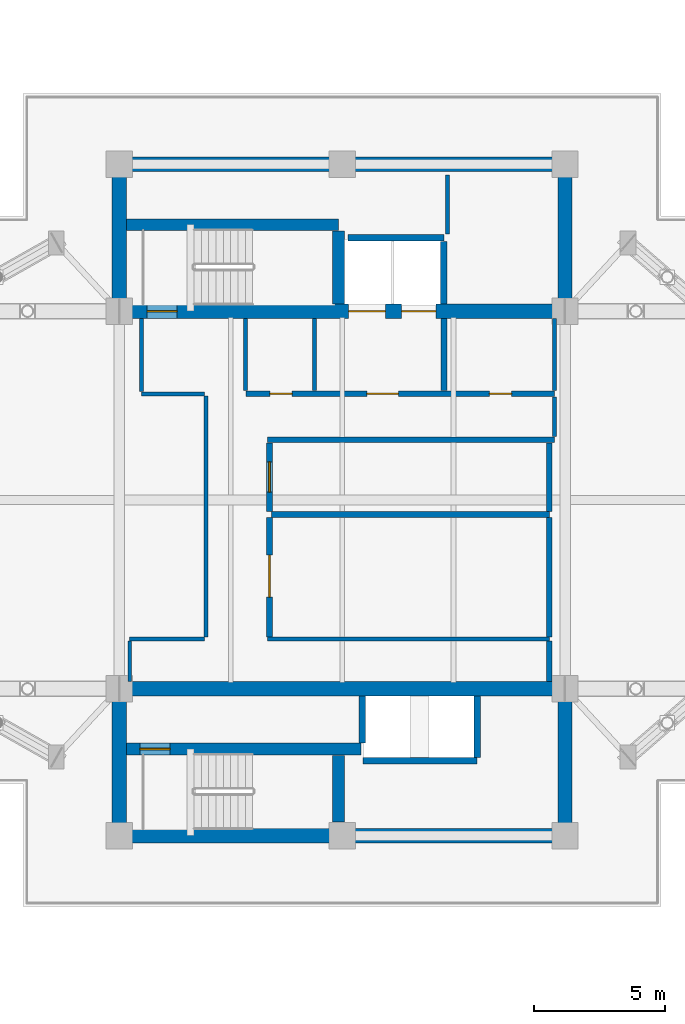
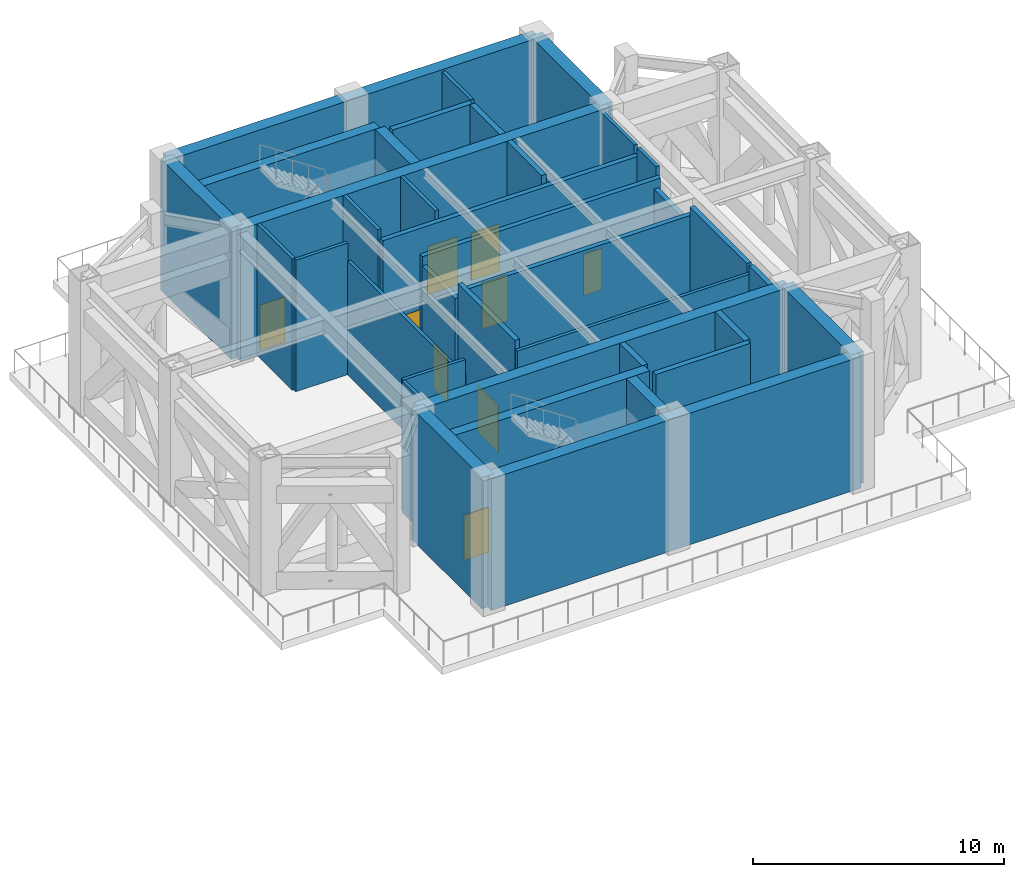
# One storey, part 11 of 18: 37 walls, 9 doors, 9 openings.
"""IFC4 building model written with IfcOpenShell, lengths in metres."""

from ifc_helpers import new_model, si_unit, direction, frame, frame_2d, origin, place, context, subcontext, project, spatial, rectangle, extrude, material, layer, layer_set, type_object, element, fill, save


model = new_model("IFC4")

# Units and contexts
model_context = context("Model", 3, precision=1e-05, world=origin(), true_north=direction((0.0, 1.0)))
body_context = subcontext(model_context, "Body", "Model", "MODEL_VIEW")
ifc_project = project(units=[si_unit("LENGTHUNIT", "METRE"), si_unit("AREAUNIT", "SQUARE_METRE"), si_unit("VOLUMEUNIT", "CUBIC_METRE"), si_unit("PLANEANGLEUNIT", "RADIAN"), si_unit("MASSUNIT", "GRAM", prefix="KILO")], contexts=[model_context])

# Site, building, storey
site_placement = place(None, origin())
site = spatial("IfcSite", under=ifc_project, at=site_placement, CompositionType="ELEMENT")
building_placement = place(site_placement, origin())
building = spatial("IfcBuilding", under=site, at=building_placement, Name="Mirazonda Arch Towers", CompositionType="ELEMENT")
storey_placement = place(building_placement, frame((0.0, 0.0, 147.800048828125)))
storey = spatial("IfcBuildingStorey", under=building, at=storey_placement, Name="L42", CompositionType="ELEMENT", Elevation=147.800048828125)

# Wall, opening, door
ifc_material_1 = material(Name="Concrete C50/60", Category="concrete")
ifc_layer_1 = layer(ifc_material_1, 0.449951171875, Name="WALL-CORE-450")
ifc_layer_set_1 = layer_set([ifc_layer_1], Name="Concrete C50/60")
wall_type_1 = type_object("IfcWallType", Name="WALL-CORE-450", PredefinedType="SHEAR", material=ifc_layer_set_1)
wall_1_placement = place(storey_placement, frame((68.27001953125, 18.5, 0.0), z_axis=(0.0, 0.0, 1.0), x_axis=(1.0, 0.0, 0.0)))
wall_1 = element("IfcWall", 1, at=wall_1_placement, inside=storey, type_object=wall_type_1, Name="L42 Stair Core Shear Wall 006", PredefinedType="SHEAR", context=body_context, shape_type="SweptSolid", body=[
    extrude(rectangle(XDim=8.949951171875, YDim=0.449951171875, at=frame_2d((4.47509765625, 0.0))), origin(), (0.0, 0.0, 1.0), 6.39990234375),
])
opening_1_placement = place(wall_1_placement, frame((0.52001953125, 0.0, 0.0)))
opening_1 = element("IfcOpeningElement", 2, at=opening_1_placement, cuts=wall_1, Name="Opening DR-135", PredefinedType="OPENING", context=body_context, shape_type="SweptSolid", body=[
    extrude(rectangle(XDim=1.14990234375, YDim=2.199951171875, at=frame_2d((0.574951171875, 1.10009765625))), frame((0.0, 0.23486328125, 0.0), z_axis=(0.0, -1.0, 0.0), x_axis=(1.0, 0.0, 0.0)), (0.0, 0.0, 1.0), 0.469970703125),
])
ifc_material_2 = material(Name="Architectural Brushed Steel S355", Category="steel")
door_type_1 = type_object("IfcDoorType", Name="DOOR-STAIR-FD90-1150", OperationType="NOTDEFINED", PredefinedType="DOOR", material=ifc_material_2)
door_1_placement = place(opening_1_placement, origin())
door_1 = element("IfcDoor", 3, at=door_1_placement, inside=storey, type_object=door_type_1, Name="L42 East Protected Stair South Door", OperationType="SINGLE_SWING_LEFT", OverallHeight=2.199951171875, OverallWidth=1.14990234375, PredefinedType="DOOR", context=body_context, shape_type="SweptSolid", body=[
    extrude(rectangle(XDim=1.14990234375, YDim=2.199951171875, at=frame_2d((0.574951171875, 1.10009765625))), frame((0.0, 0.02490234375, 0.0), z_axis=(0.0, -1.0, 0.0), x_axis=(1.0, 0.0, 0.0)), (0.0, 0.0, 1.0), 0.050048828125),
])
fill(opening_1, door_1)

# Walls
wall_2_placement = place(storey_placement, frame((68.27001953125, 38.5, 0.0), z_axis=(0.0, 0.0, 1.0), x_axis=(1.0, 0.0, 0.0)))
element("IfcWall", 4, at=wall_2_placement, inside=storey, type_object=wall_type_1, Name="L42 Stair Core Shear Wall 020", PredefinedType="SHEAR", context=body_context, shape_type="SweptSolid", body=[
    extrude(rectangle(XDim=8.090087890625, YDim=0.449951171875, at=frame_2d((4.044921875, 0.0))), origin(), (0.0, 0.0, 1.0), 6.39990234375),
])
wall_3_placement = place(storey_placement, frame((76.360107421875, 15.715087890625, 0.0), z_axis=(0.0, 0.0, 1.0), x_axis=(0.0, 1.0, 0.0)))
element("IfcWall", 5, at=wall_3_placement, inside=storey, type_object=wall_type_1, Name="L42 Stair Core Shear Wall 051", PredefinedType="SHEAR", context=body_context, shape_type="SweptSolid", body=[
    extrude(rectangle(XDim=2.5498046875, YDim=0.449951171875, at=frame_2d((1.27490234375, 0.0))), origin(), (0.0, 0.0, 1.0), 6.39990234375),
])
wall_4_placement = place(storey_placement, frame((76.360107421875, 35.469970703125, 0.0), z_axis=(0.0, 0.0, 1.0), x_axis=(0.0, 1.0, 0.0)))
element("IfcWall", 6, at=wall_4_placement, inside=storey, type_object=wall_type_1, Name="L42 Stair Core Shear Wall 052", PredefinedType="SHEAR", context=body_context, shape_type="SweptSolid", body=[
    extrude(rectangle(XDim=2.794921875, YDim=0.449951171875, at=frame_2d((1.3974609375, 0.0))), origin(), (0.0, 0.0, 1.0), 6.39990234375),
])
ifc_layer_2 = layer(ifc_material_1, 0.550048828125, Name="WALL-CORE-550")
ifc_layer_set_2 = layer_set([ifc_layer_2], Name="Concrete C50/60")
wall_type_2 = type_object("IfcWallType", Name="WALL-CORE-550", PredefinedType="SHEAR", material=ifc_layer_set_2)
wall_5_placement = place(storey_placement, frame((68.0, 40.800048828125, 0.0), z_axis=(0.0, 0.0, 1.0), x_axis=(1.0, 0.0, 0.0)))
element("IfcWall", 7, at=wall_5_placement, inside=storey, type_object=wall_type_2, Name="L42 T2N-N Core Shear Wall", PredefinedType="SHEAR", context=body_context, shape_type="SweptSolid", body=[
    extrude(rectangle(XDim=17.0, YDim=0.550048828125, at=frame_2d((8.5, 0.0))), origin(), (0.0, 0.0, 1.0), 6.39990234375),
])
for number, where, z_axis, x_axis, name in (
    (8, (68.0, 35.199951171875, 0.0), (0.0, 0.0, 1.0), (0.0, 1.0, 0.0), "L42 T2N-W Core Shear Wall"),
    (9, (85.0, 35.199951171875, 0.0), (0.0, 0.0, 1.0), (0.0, 1.0, 0.0), "L42 T2N-E Core Shear Wall"),
):
    element("IfcWall", number, at=place(storey_placement, frame(where, z_axis=z_axis, x_axis=x_axis)), inside=storey, type_object=wall_type_2, Name=name, PredefinedType="SHEAR", context=body_context, shape_type="SweptSolid", body=[
        extrude(rectangle(XDim=5.60009765625, YDim=0.550048828125, at=frame_2d((2.800048828125, 0.0))), origin(), (0.0, 0.0, 1.0), 6.39990234375),
    ])

# Wall, openings, doors
wall_6_placement = place(storey_placement, frame((68.0, 35.199951171875, 0.0), z_axis=(0.0, 0.0, 1.0), x_axis=(1.0, 0.0, 0.0)))
wall_6 = element("IfcWall", 10, at=wall_6_placement, inside=storey, type_object=wall_type_2, Name="L42 T2N-S Core Shear Wall", PredefinedType="SHEAR", context=body_context, shape_type="SweptSolid", body=[
    extrude(rectangle(XDim=17.0, YDim=0.550048828125, at=frame_2d((8.5, 0.0))), origin(), (0.0, 0.0, 1.0), 6.39990234375),
])
opening_2_placement = place(wall_6_placement, frame((1.06005859375, 0.0, 0.0)))
opening_2 = element("IfcOpeningElement", 11, at=opening_2_placement, cuts=wall_6, Name="Opening DR-135", PredefinedType="OPENING", context=body_context, shape_type="SweptSolid", body=[
    extrude(rectangle(XDim=1.14990234375, YDim=2.199951171875, at=frame_2d((0.574951171875, 1.10009765625))), frame((0.0, 0.284912109375, 0.0), z_axis=(0.0, -1.0, 0.0), x_axis=(1.0, 0.0, 0.0)), (0.0, 0.0, 1.0), 0.570068359375),
])
opening_3_placement = place(wall_6_placement, frame((8.75, 0.0, 0.0)))
opening_3 = element("IfcOpeningElement", 12, at=opening_3_placement, cuts=wall_6, Name="Opening LD-112", PredefinedType="OPENING", context=body_context, shape_type="SweptSolid", body=[
    extrude(rectangle(XDim=1.39990234375, YDim=2.35009765625, at=frame_2d((0.699951171875, 1.175048828125))), frame((0.0, 0.284912109375, 0.0), z_axis=(0.0, -1.0, 0.0), x_axis=(1.0, 0.0, 0.0)), (0.0, 0.0, 1.0), 0.570068359375),
])
opening_4_placement = place(wall_6_placement, frame((10.77001953125, 0.0, 0.0)))
opening_4 = element("IfcOpeningElement", 13, at=opening_4_placement, cuts=wall_6, Name="Opening LD-111", PredefinedType="OPENING", context=body_context, shape_type="SweptSolid", body=[
    extrude(rectangle(XDim=1.300048828125, YDim=2.300048828125, at=frame_2d((0.64990234375, 1.14990234375))), frame((0.0, 0.284912109375, 0.0), z_axis=(0.0, -1.0, 0.0), x_axis=(1.0, 0.0, 0.0)), (0.0, 0.0, 1.0), 0.570068359375),
])
door_type_2 = type_object("IfcDoorType", Name="DOOR-LIFT-FFL-1400", OperationType="NOTDEFINED", PredefinedType="DOOR", material=ifc_material_2)
door_2_placement = place(opening_3_placement, origin())
door_2 = element("IfcDoor", 14, at=door_2_placement, inside=storey, type_object=door_type_2, Name="L42 Lift Landing Sliding Door FFL-T2", OperationType="DOUBLE_DOOR_SLIDING", OverallHeight=2.35009765625, OverallWidth=1.39990234375, PredefinedType="DOOR", context=body_context, shape_type="SweptSolid", body=[
    extrude(rectangle(XDim=1.39990234375, YDim=2.35009765625, at=frame_2d((0.699951171875, 1.175048828125))), frame((0.0, 0.02490234375, 0.0), z_axis=(0.0, -1.0, 0.0), x_axis=(1.0, 0.0, 0.0)), (0.0, 0.0, 1.0), 0.050048828125),
])
fill(opening_3, door_2)
door_type_3 = type_object("IfcDoorType", Name="DOOR-LIFT-LAND-1300", OperationType="NOTDEFINED", PredefinedType="DOOR", material=ifc_material_2)
door_3_placement = place(opening_4_placement, origin())
door_3 = element("IfcDoor", 15, at=door_3_placement, inside=storey, type_object=door_type_3, Name="L42 Lift Landing Sliding Door SVL-T2", OperationType="DOUBLE_DOOR_SLIDING", OverallHeight=2.300048828125, OverallWidth=1.300048828125, PredefinedType="DOOR", context=body_context, shape_type="SweptSolid", body=[
    extrude(rectangle(XDim=1.300048828125, YDim=2.300048828125, at=frame_2d((0.64990234375, 1.14990234375))), frame((0.0, 0.02490234375, 0.0), z_axis=(0.0, -1.0, 0.0), x_axis=(1.0, 0.0, 0.0)), (0.0, 0.0, 1.0), 0.050048828125),
])
fill(opening_4, door_3)
door_4_placement = place(opening_2_placement, origin())
door_4 = element("IfcDoor", 16, at=door_4_placement, inside=storey, type_object=door_type_1, Name="L42 East Protected Stair North Door", OperationType="SINGLE_SWING_LEFT", OverallHeight=2.199951171875, OverallWidth=1.14990234375, PredefinedType="DOOR", context=body_context, shape_type="SweptSolid", body=[
    extrude(rectangle(XDim=1.14990234375, YDim=2.199951171875, at=frame_2d((0.574951171875, 1.10009765625))), frame((0.0, 0.02490234375, 0.0), z_axis=(0.0, -1.0, 0.0), x_axis=(1.0, 0.0, 0.0)), (0.0, 0.0, 1.0), 0.050048828125),
])
fill(opening_2, door_4)

# Walls
wall_7_placement = place(storey_placement, frame((68.0, 15.199951171875, 0.0), z_axis=(0.0, 0.0, 1.0), x_axis=(1.0, 0.0, 0.0)))
element("IfcWall", 17, at=wall_7_placement, inside=storey, type_object=wall_type_2, Name="L42 T2S-S Core Shear Wall", PredefinedType="SHEAR", context=body_context, shape_type="SweptSolid", body=[
    extrude(rectangle(XDim=17.0, YDim=0.550048828125, at=frame_2d((8.5, 0.0))), origin(), (0.0, 0.0, 1.0), 6.39990234375),
])
for number, where, z_axis, x_axis, name in (
    (18, (68.0, 15.199951171875, 0.0), (0.0, 0.0, 1.0), (0.0, 1.0, 0.0), "L42 T2S-W Core Shear Wall"),
    (19, (85.0, 15.199951171875, 0.0), (0.0, 0.0, 1.0), (0.0, 1.0, 0.0), "L42 T2S-E Core Shear Wall"),
):
    element("IfcWall", number, at=place(storey_placement, frame(where, z_axis=z_axis, x_axis=x_axis)), inside=storey, type_object=wall_type_2, Name=name, PredefinedType="SHEAR", context=body_context, shape_type="SweptSolid", body=[
        extrude(rectangle(XDim=5.60009765625, YDim=0.550048828125, at=frame_2d((2.800048828125, 0.0))), origin(), (0.0, 0.0, 1.0), 6.39990234375),
    ])
wall_8_placement = place(storey_placement, frame((68.0, 20.800048828125, 0.0), z_axis=(0.0, 0.0, 1.0), x_axis=(1.0, 0.0, 0.0)))
element("IfcWall", 20, at=wall_8_placement, inside=storey, type_object=wall_type_2, Name="L42 T2S-N Core Shear Wall", PredefinedType="SHEAR", context=body_context, shape_type="SweptSolid", body=[
    extrude(rectangle(XDim=17.0, YDim=0.550048828125, at=frame_2d((8.5, 0.0))), origin(), (0.0, 0.0, 1.0), 6.39990234375),
])
ifc_material_3 = material(Name="Concrete C40/50", Category="concrete")
ifc_layer_3 = layer(ifc_material_3, 0.219970703125, Name="WALL-FFL-220")
ifc_layer_set_3 = layer_set([ifc_layer_3], Name="Concrete C40/50")
wall_type_3 = type_object("IfcWallType", Name="WALL-FFL-220", PredefinedType="SOLIDWALL", material=ifc_layer_set_3)
wall_9_placement = place(storey_placement, frame((73.800048828125, 27.449951171875, 0.0), z_axis=(0.0, 0.0, 1.0), x_axis=(1.0, 0.0, 0.0)))
element("IfcWall", 21, at=wall_9_placement, inside=storey, type_object=wall_type_3, Name="L42 Interior Partition 011", PredefinedType="SOLIDWALL", context=body_context, shape_type="SweptSolid", body=[
    extrude(rectangle(XDim=10.599853515625, YDim=0.219970703125, at=frame_2d((5.2998046875, 0.0))), origin(), (0.0, 0.0, 1.0), 5.974853515625),
])
wall_10_placement = place(storey_placement, frame((73.64990234375, 30.300048828125, 0.0), z_axis=(0.0, 0.0, 1.0), x_axis=(1.0, 0.0, 0.0)))
element("IfcWall", 22, at=wall_10_placement, inside=storey, type_object=wall_type_3, Name="L42 Interior Partition 013", PredefinedType="SOLIDWALL", context=body_context, shape_type="SweptSolid", body=[
    extrude(rectangle(XDim=10.9501953125, YDim=0.219970703125, at=frame_2d((5.47509765625, 0.0))), origin(), (0.0, 0.0, 1.0), 5.974853515625),
])

# Wall, openings, doors
wall_11_placement = place(storey_placement, frame((72.840087890625, 32.050048828125, 0.0), z_axis=(0.0, 0.0, 1.0), x_axis=(1.0, 0.0, 0.0)))
wall_11 = element("IfcWall", 23, at=wall_11_placement, inside=storey, type_object=wall_type_3, Name="L42 Interior Partition 015", PredefinedType="SOLIDWALL", context=body_context, shape_type="SweptSolid", body=[
    extrude(rectangle(XDim=11.760009765625, YDim=0.219970703125, at=frame_2d((5.8798828125, 0.0))), origin(), (0.0, 0.0, 1.0), 5.974853515625),
])
opening_5_placement = place(wall_11_placement, frame((4.60009765625, 0.0, 0.0)))
opening_5 = element("IfcOpeningElement", 24, at=opening_5_placement, cuts=wall_11, Name="Opening DR-117", PredefinedType="OPENING", context=body_context, shape_type="SweptSolid", body=[
    extrude(rectangle(XDim=1.199951171875, YDim=2.25, at=frame_2d((0.60009765625, 1.125))), frame((0.0, 0.119873046875, 0.0), z_axis=(0.0, -1.0, 0.0), x_axis=(1.0, 0.0, 0.0)), (0.0, 0.0, 1.0), 0.239990234375),
])
opening_6_placement = place(wall_11_placement, frame((9.27490234375, 0.0, 0.0)))
opening_6 = element("IfcOpeningElement", 25, at=opening_6_placement, cuts=wall_11, Name="Opening DR-128", PredefinedType="OPENING", context=body_context, shape_type="SweptSolid", body=[
    extrude(rectangle(XDim=0.85009765625, YDim=2.010009765625, at=frame_2d((0.425048828125, 1.0048828125))), frame((0.0, 0.119873046875, 0.0), z_axis=(0.0, -1.0, 0.0), x_axis=(1.0, 0.0, 0.0)), (0.0, 0.0, 1.0), 0.239990234375),
])
opening_7_placement = place(wall_11_placement, frame((0.89990234375, 0.0, 0.0)))
opening_7 = element("IfcOpeningElement", 26, at=opening_7_placement, cuts=wall_11, Name="Opening DR-128", PredefinedType="OPENING", context=body_context, shape_type="SweptSolid", body=[
    extrude(rectangle(XDim=0.85009765625, YDim=2.010009765625, at=frame_2d((0.425048828125, 1.0048828125))), frame((0.0, 0.119873046875, 0.0), z_axis=(0.0, -1.0, 0.0), x_axis=(1.0, 0.0, 0.0)), (0.0, 0.0, 1.0), 0.239990234375),
])
door_type_4 = type_object("IfcDoorType", Name="DOOR-FFL-FD90-1200", OperationType="NOTDEFINED", PredefinedType="DOOR", material=ifc_material_2)
door_5_placement = place(opening_5_placement, origin())
door_5 = element("IfcDoor", 27, at=door_5_placement, inside=storey, type_object=door_type_4, Name="L42 East Firefighting Lift Lobby Door", OperationType="SINGLE_SWING_RIGHT", OverallHeight=2.25, OverallWidth=1.199951171875, PredefinedType="DOOR", context=body_context, shape_type="SweptSolid", body=[
    extrude(rectangle(XDim=1.199951171875, YDim=2.25, at=frame_2d((0.60009765625, 1.125))), frame((0.0, 0.02490234375, 0.0), z_axis=(0.0, -1.0, 0.0), x_axis=(1.0, 0.0, 0.0)), (0.0, 0.0, 1.0), 0.050048828125),
])
fill(opening_5, door_5)
door_type_5 = type_object("IfcDoorType", Name="DOOR-RISER-FD60-850", OperationType="NOTDEFINED", PredefinedType="DOOR", material=ifc_material_2)
door_6_placement = place(opening_6_placement, origin())
door_6 = element("IfcDoor", 28, at=door_6_placement, inside=storey, type_object=door_type_5, Name="L42 East Mechanical Riser Plant Room Door", OperationType="SINGLE_SWING_LEFT", OverallHeight=2.010009765625, OverallWidth=0.85009765625, PredefinedType="DOOR", context=body_context, shape_type="SweptSolid", body=[
    extrude(rectangle(XDim=0.85009765625, YDim=2.010009765625, at=frame_2d((0.425048828125, 1.0048828125))), frame((0.0, 0.02490234375, 0.0), z_axis=(0.0, -1.0, 0.0), x_axis=(1.0, 0.0, 0.0)), (0.0, 0.0, 1.0), 0.050048828125),
])
fill(opening_6, door_6)
door_7_placement = place(opening_7_placement, origin())
door_7 = element("IfcDoor", 29, at=door_7_placement, inside=storey, type_object=door_type_5, Name="L42 Tower 2 Core Service Room Door", OperationType="SINGLE_SWING_RIGHT", OverallHeight=2.010009765625, OverallWidth=0.85009765625, PredefinedType="DOOR", context=body_context, shape_type="SweptSolid", body=[
    extrude(rectangle(XDim=0.85009765625, YDim=2.010009765625, at=frame_2d((0.425048828125, 1.0048828125))), frame((0.0, 0.02490234375, 0.0), z_axis=(0.0, -1.0, 0.0), x_axis=(1.0, 0.0, 0.0)), (0.0, 0.0, 1.0), 0.050048828125),
])
fill(opening_7, door_7)

# Wall, opening, door
wall_12_placement = place(storey_placement, frame((73.7333984375, 22.784912109375, 0.0), z_axis=(0.0, 0.0, 1.0), x_axis=(0.0, 1.0, 0.0)))
wall_12 = element("IfcWall", 30, at=wall_12_placement, inside=storey, type_object=wall_type_3, Name="L42 Interior Partition 048", PredefinedType="SOLIDWALL", context=body_context, shape_type="SweptSolid", body=[
    extrude(rectangle(XDim=4.545166015625, YDim=0.219970703125, at=frame_2d((2.2724609375, 0.0))), origin(), (0.0, 0.0, 1.0), 6.39990234375),
])
opening_8_placement = place(wall_12_placement, frame((1.510009765625, 0.0, 0.0)))
opening_8 = element("IfcOpeningElement", 31, at=opening_8_placement, cuts=wall_12, Name="Opening DR-113", PredefinedType="OPENING", context=body_context, shape_type="SweptSolid", body=[
    extrude(rectangle(XDim=1.60009765625, YDim=2.300048828125, at=frame_2d((0.800048828125, 1.14990234375))), frame((0.0, 0.119873046875, 0.0), z_axis=(0.0, -1.0, 0.0), x_axis=(1.0, 0.0, 0.0)), (0.0, 0.0, 1.0), 0.239990234375),
])
door_type_6 = type_object("IfcDoorType", Name="DOOR-PLANT-FD60-1600", OperationType="NOTDEFINED", PredefinedType="DOOR", material=ifc_material_2)
door_8_placement = place(opening_8_placement, origin())
door_8 = element("IfcDoor", 32, at=door_8_placement, inside=storey, type_object=door_type_6, Name="L42 L42 Tower 2 Mechanical Fan & Heat-Exchanger Hall Door", OperationType="SINGLE_SWING_LEFT", OverallHeight=2.300048828125, OverallWidth=1.60009765625, PredefinedType="DOOR", context=body_context, shape_type="SweptSolid", body=[
    extrude(rectangle(XDim=1.60009765625, YDim=2.300048828125, at=frame_2d((0.800048828125, 1.14990234375))), frame((0.0, 0.02490234375, 0.0), z_axis=(0.0, -1.0, 0.0), x_axis=(1.0, 0.0, 0.0)), (0.0, 0.0, 1.0), 0.050048828125),
])
fill(opening_8, door_8)

wall_13_placement = place(storey_placement, frame((73.7333984375, 27.570068359375, 0.0), z_axis=(0.0, 0.0, 1.0), x_axis=(0.0, 1.0, 0.0)))
wall_13 = element("IfcWall", 33, at=wall_13_placement, inside=storey, type_object=wall_type_3, Name="L42 Interior Partition 049", PredefinedType="SOLIDWALL", context=body_context, shape_type="SweptSolid", body=[
    extrude(rectangle(XDim=2.60986328125, YDim=0.219970703125, at=frame_2d((1.304931640625, 0.0))), origin(), (0.0, 0.0, 1.0), 5.535888671875),
])
opening_9_placement = place(wall_13_placement, frame((0.72998046875, 0.0, 0.0)))
opening_9 = element("IfcOpeningElement", 34, at=opening_9_placement, cuts=wall_13, Name="Opening DR-135", PredefinedType="OPENING", context=body_context, shape_type="SweptSolid", body=[
    extrude(rectangle(XDim=1.14990234375, YDim=2.199951171875, at=frame_2d((0.574951171875, 1.10009765625))), frame((0.0, 0.119873046875, 0.0), z_axis=(0.0, -1.0, 0.0), x_axis=(1.0, 0.0, 0.0)), (0.0, 0.0, 1.0), 0.239990234375),
])
door_9_placement = place(opening_9_placement, origin())
door_9 = element("IfcDoor", 35, at=door_9_placement, inside=storey, type_object=door_type_1, Name="L42 L42 Tower 2 Pressurized Sky-Refuge Area Door", OperationType="SINGLE_SWING_RIGHT", OverallHeight=2.199951171875, OverallWidth=1.14990234375, PredefinedType="DOOR", context=body_context, shape_type="SweptSolid", body=[
    extrude(rectangle(XDim=1.14990234375, YDim=2.199951171875, at=frame_2d((0.574951171875, 1.10009765625))), frame((0.0, 0.02490234375, 0.0), z_axis=(0.0, -1.0, 0.0), x_axis=(1.0, 0.0, 0.0)), (0.0, 0.0, 1.0), 0.050048828125),
])
fill(opening_9, door_9)

# Walls
wall_14_placement = place(storey_placement, frame((80.3798828125, 32.169921875, 0.0), z_axis=(0.0, 0.0, 1.0), x_axis=(0.0, 1.0, 0.0)))
element("IfcWall", 36, at=wall_14_placement, inside=storey, type_object=wall_type_3, Name="L42 Interior Partition 054", PredefinedType="SOLIDWALL", context=body_context, shape_type="SweptSolid", body=[
    extrude(rectangle(XDim=2.760009765625, YDim=0.219970703125, at=frame_2d((1.3798828125, 0.0))), origin(), (0.0, 0.0, 1.0), 6.39990234375),
])
wall_15_placement = place(storey_placement, frame((84.39990234375, 21.070068359375, 0.0), z_axis=(0.0, 0.0, 1.0), x_axis=(0.0, 1.0, 0.0)))
element("IfcWall", 37, at=wall_15_placement, inside=storey, type_object=wall_type_3, Name="L42 Interior Partition 058", PredefinedType="SOLIDWALL", context=body_context, shape_type="SweptSolid", body=[
    extrude(rectangle(XDim=1.544921875, YDim=0.219970703125, at=frame_2d((0.7724609375, 0.0))), origin(), (0.0, 0.0, 1.0), 6.39990234375),
])
wall_16_placement = place(storey_placement, frame((84.39990234375, 22.784912109375, 0.0), z_axis=(0.0, 0.0, 1.0), x_axis=(0.0, 1.0, 0.0)))
element("IfcWall", 38, at=wall_16_placement, inside=storey, type_object=wall_type_3, Name="L42 Interior Partition 059", PredefinedType="SOLIDWALL", context=body_context, shape_type="SweptSolid", body=[
    extrude(rectangle(XDim=4.545166015625, YDim=0.219970703125, at=frame_2d((2.2724609375, 0.0))), origin(), (0.0, 0.0, 1.0), 6.39990234375),
])
wall_17_placement = place(storey_placement, frame((84.39990234375, 27.570068359375, 0.0), z_axis=(0.0, 0.0, 1.0), x_axis=(0.0, 1.0, 0.0)))
element("IfcWall", 39, at=wall_17_placement, inside=storey, type_object=wall_type_3, Name="L42 Interior Partition 060", PredefinedType="SOLIDWALL", context=body_context, shape_type="SweptSolid", body=[
    extrude(rectangle(XDim=2.60986328125, YDim=0.219970703125, at=frame_2d((1.304931640625, 0.0))), origin(), (0.0, 0.0, 1.0), 5.535888671875),
])
ifc_material_4 = material(Name="Fire-Rated Gypsum Stud Partition")
ifc_layer_4 = layer(ifc_material_4, 0.14990234375, Name="WALL-PART-CORR-150")
ifc_layer_set_4 = layer_set([ifc_layer_4], Name="Fire-Rated Gypsum Stud Partition")
wall_type_4 = type_object("IfcWallType", Name="WALL-PART-CORR-150", PredefinedType="PARTITIONING", material=ifc_layer_set_4)
wall_18_placement = place(storey_placement, frame((68.39990234375, 22.699951171875, 0.0), z_axis=(0.0, 0.0, 1.0), x_axis=(1.0, 0.0, 0.0)))
element("IfcWall", 40, at=wall_18_placement, inside=storey, type_object=wall_type_4, Name="L42 Interior Partition 009", PredefinedType="PARTITIONING", context=body_context, shape_type="SweptSolid", body=[
    extrude(rectangle(XDim=2.85009765625, YDim=0.14990234375, at=frame_2d((1.425048828125, 0.0))), origin(), (0.0, 0.0, 1.0), 6.39990234375),
])
wall_19_placement = place(storey_placement, frame((73.64990234375, 22.699951171875, 0.0), z_axis=(0.0, 0.0, 1.0), x_axis=(1.0, 0.0, 0.0)))
element("IfcWall", 41, at=wall_19_placement, inside=storey, type_object=wall_type_4, Name="L42 Interior Partition 010", PredefinedType="PARTITIONING", context=body_context, shape_type="SweptSolid", body=[
    extrude(rectangle(XDim=10.75, YDim=0.14990234375, at=frame_2d((5.375, 0.0))), origin(), (0.0, 0.0, 1.0), 5.974853515625),
])
wall_20_placement = place(storey_placement, frame((68.85009765625, 32.050048828125, 0.0), z_axis=(0.0, 0.0, 1.0), x_axis=(1.0, 0.0, 0.0)))
element("IfcWall", 42, at=wall_20_placement, inside=storey, type_object=wall_type_4, Name="L42 Interior Partition 014", PredefinedType="PARTITIONING", context=body_context, shape_type="SweptSolid", body=[
    extrude(rectangle(XDim=2.39990234375, YDim=0.14990234375, at=frame_2d((1.199951171875, 0.0))), origin(), (0.0, 0.0, 1.0), 6.39990234375),
])
wall_21_placement = place(storey_placement, frame((68.39990234375, 21.070068359375, 0.0), z_axis=(0.0, 0.0, 1.0), x_axis=(0.0, 1.0, 0.0)))
element("IfcWall", 43, at=wall_21_placement, inside=storey, type_object=wall_type_4, Name="L42 Interior Partition 044", PredefinedType="PARTITIONING", context=body_context, shape_type="SweptSolid", body=[
    extrude(rectangle(XDim=1.544921875, YDim=0.14990234375, at=frame_2d((0.7724609375, 0.0))), origin(), (0.0, 0.0, 1.0), 6.39990234375),
])
wall_22_placement = place(storey_placement, frame((68.85009765625, 32.135009765625, 0.0), z_axis=(0.0, 0.0, 1.0), x_axis=(0.0, 1.0, 0.0)))
element("IfcWall", 44, at=wall_22_placement, inside=storey, type_object=wall_type_4, Name="L42 Interior Partition 045", PredefinedType="PARTITIONING", context=body_context, shape_type="SweptSolid", body=[
    extrude(rectangle(XDim=2.794921875, YDim=0.14990234375, at=frame_2d((1.3974609375, 0.0))), origin(), (0.0, 0.0, 1.0), 6.39990234375),
])
wall_23_placement = place(storey_placement, frame((71.300048828125, 22.784912109375, 0.0), z_axis=(0.0, 0.0, 1.0), x_axis=(0.0, 1.0, 0.0)))
element("IfcWall", 45, at=wall_23_placement, inside=storey, type_object=wall_type_4, Name="L42 Interior Partition 046", PredefinedType="PARTITIONING", context=body_context, shape_type="SweptSolid", body=[
    extrude(rectangle(XDim=9.18017578125, YDim=0.14990234375, at=frame_2d((4.590087890625, 0.0))), origin(), (0.0, 0.0, 1.0), 5.535888671875),
])
for number, where, z_axis, x_axis, name in (
    (46, (72.81005859375, 32.169921875, 0.0), (0.0, 0.0, 1.0), (0.0, 1.0, 0.0), "L42 Interior Partition 047"),
    (47, (75.449951171875, 32.169921875, 0.0), (0.0, 0.0, 1.0), (0.0, 1.0, 0.0), "L42 Interior Partition 050"),
):
    element("IfcWall", number, at=place(storey_placement, frame(where, z_axis=z_axis, x_axis=x_axis)), inside=storey, type_object=wall_type_4, Name=name, PredefinedType="PARTITIONING", context=body_context, shape_type="SweptSolid", body=[
        extrude(rectangle(XDim=2.760009765625, YDim=0.14990234375, at=frame_2d((1.3798828125, 0.0))), origin(), (0.0, 0.0, 1.0), 6.39990234375),
    ])
wall_24_placement = place(storey_placement, frame((80.52001953125, 38.135009765625, 0.0), z_axis=(0.0, 0.0, 1.0), x_axis=(0.0, 1.0, 0.0)))
element("IfcWall", 48, at=wall_24_placement, inside=storey, type_object=wall_type_4, Name="L42 Interior Partition 056", PredefinedType="PARTITIONING", context=body_context, shape_type="SweptSolid", body=[
    extrude(rectangle(XDim=2.264892578125, YDim=0.14990234375, at=frame_2d((1.13232421875, 0.0))), origin(), (0.0, 0.0, 1.0), 6.39990234375),
])
wall_25_placement = place(storey_placement, frame((84.60009765625, 30.419921875, 0.0), z_axis=(0.0, 0.0, 1.0), x_axis=(0.0, 1.0, 0.0)))
element("IfcWall", 49, at=wall_25_placement, inside=storey, type_object=wall_type_4, Name="L42 Interior Partition 061", PredefinedType="PARTITIONING", context=body_context, shape_type="SweptSolid", body=[
    extrude(rectangle(XDim=1.510009765625, YDim=0.14990234375, at=frame_2d((0.7548828125, 0.0))), origin(), (0.0, 0.0, 1.0), 6.39990234375),
])
wall_26_placement = place(storey_placement, frame((84.60009765625, 32.169921875, 0.0), z_axis=(0.0, 0.0, 1.0), x_axis=(0.0, 1.0, 0.0)))
element("IfcWall", 50, at=wall_26_placement, inside=storey, type_object=wall_type_4, Name="L42 Interior Partition 062", PredefinedType="PARTITIONING", context=body_context, shape_type="SweptSolid", body=[
    extrude(rectangle(XDim=2.760009765625, YDim=0.14990234375, at=frame_2d((1.3798828125, 0.0))), origin(), (0.0, 0.0, 1.0), 6.39990234375),
])
ifc_layer_5 = layer(ifc_material_3, 0.25, Name="WALL-SHAFT-250")
ifc_layer_set_5 = layer_set([ifc_layer_5], Name="Concrete C40/50")
wall_type_5 = type_object("IfcWallType", Name="WALL-SHAFT-250", PredefinedType="SOLIDWALL", material=ifc_layer_set_5)
wall_27_placement = place(storey_placement, frame((77.300048828125, 18.050048828125, 0.0), z_axis=(0.0, 0.0, 1.0), x_axis=(1.0, 0.0, 0.0)))
element("IfcWall", 51, at=wall_27_placement, inside=storey, type_object=wall_type_5, Name="L42 Interior Partition 005", PredefinedType="SOLIDWALL", context=body_context, shape_type="SweptSolid", body=[
    extrude(rectangle(XDim=4.349853515625, YDim=0.25, at=frame_2d((2.1748046875, 0.0))), origin(), (0.0, 0.0, 1.0), 6.39990234375),
])
wall_28_placement = place(storey_placement, frame((76.719970703125, 38.0, 0.0), z_axis=(0.0, 0.0, 1.0), x_axis=(1.0, 0.0, 0.0)))
element("IfcWall", 52, at=wall_28_placement, inside=storey, type_object=wall_type_5, Name="L42 Interior Partition 019", PredefinedType="SOLIDWALL", context=body_context, shape_type="SweptSolid", body=[
    extrude(rectangle(XDim=3.659912109375, YDim=0.25, at=frame_2d((1.830078125, 0.0))), origin(), (0.0, 0.0, 1.0), 6.39990234375),
])
wall_29_placement = place(storey_placement, frame((77.260009765625, 18.735107421875, 0.0), z_axis=(0.0, 0.0, 1.0), x_axis=(0.0, 1.0, 0.0)))
element("IfcWall", 53, at=wall_29_placement, inside=storey, type_object=wall_type_5, Name="L42 Interior Partition 053", PredefinedType="SOLIDWALL", context=body_context, shape_type="SweptSolid", body=[
    extrude(rectangle(XDim=1.794921875, YDim=0.25, at=frame_2d((0.8974609375, 0.0))), origin(), (0.0, 0.0, 1.0), 6.39990234375),
])
wall_30_placement = place(storey_placement, frame((80.3798828125, 35.469970703125, 0.0), z_axis=(0.0, 0.0, 1.0), x_axis=(0.0, 1.0, 0.0)))
element("IfcWall", 54, at=wall_30_placement, inside=storey, type_object=wall_type_5, Name="L42 Interior Partition 055", PredefinedType="SOLIDWALL", context=body_context, shape_type="SweptSolid", body=[
    extrude(rectangle(XDim=2.39501953125, YDim=0.25, at=frame_2d((1.197509765625, 0.0))), origin(), (0.0, 0.0, 1.0), 6.39990234375),
])
wall_31_placement = place(storey_placement, frame((81.64990234375, 18.18505859375, 0.0), z_axis=(0.0, 0.0, 1.0), x_axis=(0.0, 1.0, 0.0)))
element("IfcWall", 55, at=wall_31_placement, inside=storey, type_object=wall_type_5, Name="L42 Interior Partition 057", PredefinedType="SOLIDWALL", context=body_context, shape_type="SweptSolid", body=[
    extrude(rectangle(XDim=2.344970703125, YDim=0.25, at=frame_2d((1.17236328125, 0.0))), origin(), (0.0, 0.0, 1.0), 6.39990234375),
])

save(model, "model.ifc")
